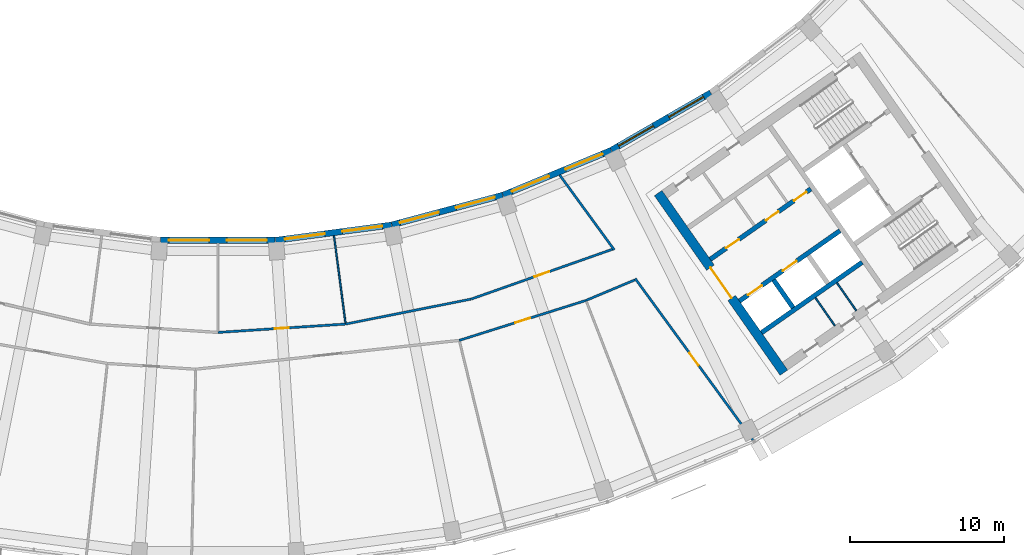
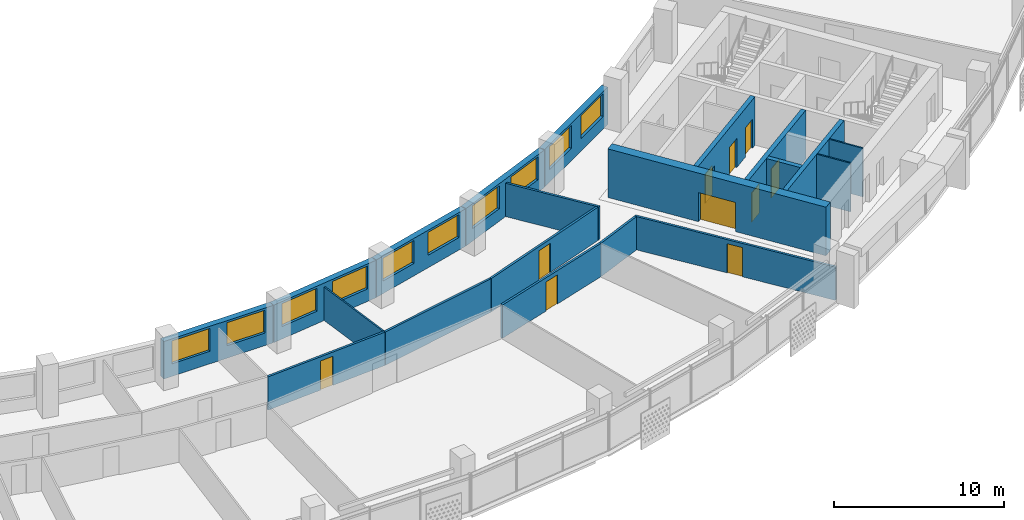
# One storey, part 6 of 27: 20 walls, 10 doors, 10 windows, 20 openings.
"""IFC4 building model written with IfcOpenShell, lengths in metres."""

from ifc_helpers import new_model, si_unit, direction, frame, frame_2d, origin, place, context, subcontext, project, spatial, rectangle, extrude, material, layer, layer_set, type_object, element, fill, save


model = new_model("IFC4")

# Units and contexts
model_context = context("Model", 3, precision=1e-05, world=origin(), true_north=direction((0.0, 1.0)))
body_context = subcontext(model_context, "Body", "Model", "MODEL_VIEW")
ifc_project = project(units=[si_unit("LENGTHUNIT", "METRE"), si_unit("AREAUNIT", "SQUARE_METRE"), si_unit("VOLUMEUNIT", "CUBIC_METRE"), si_unit("PLANEANGLEUNIT", "RADIAN"), si_unit("MASSUNIT", "GRAM", prefix="KILO")], contexts=[model_context])

# Site, building, storey
site_placement = place(None, origin())
site = spatial("IfcSite", under=ifc_project, at=site_placement, CompositionType="ELEMENT")
building_placement = place(site_placement, origin())
building = spatial("IfcBuilding", under=site, at=building_placement, Name="Qamariyya Broadcast Tower", CompositionType="ELEMENT")
storey_placement = place(building_placement, frame((0.0, 0.0, 237.89990234375)))
storey = spatial("IfcBuildingStorey", under=building, at=storey_placement, Name="L57", CompositionType="ELEMENT", Elevation=237.89990234375)

# Wall, opening, door
ifc_material_1 = material(Name="Concrete C60/75", Category="concrete")
ifc_layer_1 = layer(ifc_material_1, 0.60009765625)
ifc_layer_set_1 = layer_set([ifc_layer_1], Name="Core wall 600 mm Concrete C60/75")
wall_type_1 = type_object("IfcWallType", Name="Core wall 600 mm Concrete C60/75", PredefinedType="SHEAR", material=ifc_layer_set_1)
wall_1_placement = place(storey_placement, frame((36.66748046875, -66.005126953125, 0.0), z_axis=(0.0, 0.0, 1.0), x_axis=(-0.573568499524, 0.819157601658, 0.0)))
wall_1 = element("IfcWall", 1, at=wall_1_placement, inside=storey, type_object=wall_type_1, Name="k-E-L57-WA", PredefinedType="SHEAR", context=body_context, shape_type="SweptSolid", body=[
    extrude(rectangle(XDim=14.19970703125, YDim=0.60009765625, at=frame_2d((7.099853515625, 0.0))), origin(), (0.0, 0.0, 1.0), 3.5),
])
opening_1_placement = place(wall_1_placement, frame((5.89990234375, 0.0, 0.0)))
opening_1 = element("IfcOpeningElement", 2, at=opening_1_placement, cuts=wall_1, Name="Opening KD3-E1", PredefinedType="OPENING", context=body_context, shape_type="SweptSolid", body=[
    extrude(rectangle(XDim=2.39990234375, YDim=2.10009765625, at=frame_2d((1.199951171875, 1.050048828125))), frame((0.0, 0.31005859375, 0.0), z_axis=(0.0, -1.0, 0.0), x_axis=(1.0, 0.0, 0.0)), (0.0, 0.0, 1.0), 0.6201171875),
])
ifc_material_2 = material(Name="Steel fire-resisting door leaf", Category="steel")
door_type_1 = type_object("IfcDoorType", Name="Lift lobby door KD3", OperationType="DOUBLE_DOOR_SINGLE_SWING", PredefinedType="DOOR", material=ifc_material_2)
door_1_placement = place(opening_1_placement, origin())
door_1 = element("IfcDoor", 3, at=door_1_placement, inside=storey, type_object=door_type_1, Name="k-E-L57-WA-D1", OperationType="DOUBLE_DOOR_SINGLE_SWING", OverallHeight=2.10009765625, OverallWidth=2.39990234375, PredefinedType="DOOR", context=body_context, shape_type="SweptSolid", body=[
    extrude(rectangle(XDim=2.39990234375, YDim=2.10009765625, at=frame_2d((1.199951171875, 1.050048828125))), frame((0.0, 0.02490234375, 0.0), z_axis=(0.0, -1.0, 0.0), x_axis=(1.0, 0.0, 0.0)), (0.0, 0.0, 1.0), 0.050048828125),
])
fill(opening_1, door_1)

ifc_material_3 = material(Name="Gypsum board partition")
ifc_layer_2 = layer(ifc_material_3, 0.14990234375)
ifc_layer_set_2 = layer_set([ifc_layer_2], Name="Corridor partition 150 EI 60")
wall_type_2 = type_object("IfcWallType", Name="Corridor partition 150 EI 60", PredefinedType="PARTITIONING", material=ifc_layer_set_2)
wall_2_placement = place(storey_placement, frame((0.0, -63.39990234375, 0.0), z_axis=(0.0, 0.0, 1.0), x_axis=(0.997860193426, 0.065383747038, 0.0)))
wall_2 = element("IfcWall", 4, at=wall_2_placement, inside=storey, type_object=wall_type_2, Name="Partition L57-018", PredefinedType="PARTITIONING", context=body_context, shape_type="SweptSolid", body=[
    extrude(rectangle(XDim=8.293212890625, YDim=0.14990234375, at=frame_2d((4.146484375, 0.0))), origin(), (0.0, 0.0, 1.0), 2.400146484375),
])
opening_2_placement = place(wall_2_placement, frame((3.696533203125, 0.0, 0.0)))
opening_2 = element("IfcOpeningElement", 5, at=opening_2_placement, cuts=wall_2, Name="Opening L57-D11", PredefinedType="OPENING", context=body_context, shape_type="SweptSolid", body=[
    extrude(rectangle(XDim=0.89990234375, YDim=2.10009765625, at=frame_2d((0.449951171875, 1.050048828125))), frame((0.0, 0.0849609375, 0.0), z_axis=(0.0, -1.0, 0.0), x_axis=(1.0, 0.0, 0.0)), (0.0, 0.0, 1.0), 0.169921875),
])
ifc_material_4 = material(Name="Timber fire door leaf", Category="wood")
door_type_2 = type_object("IfcDoorType", Name="Fire door 900 x 2100 FD60", OperationType="NOTDEFINED", PredefinedType="DOOR", material=ifc_material_4)
door_2_placement = place(opening_2_placement, origin())
door_2 = element("IfcDoor", 6, at=door_2_placement, inside=storey, type_object=door_type_2, Name="Door L57-D11", OperationType="SINGLE_SWING_RIGHT", OverallHeight=2.10009765625, OverallWidth=0.89990234375, PredefinedType="DOOR", context=body_context, shape_type="SweptSolid", body=[
    extrude(rectangle(XDim=0.89990234375, YDim=2.10009765625, at=frame_2d((0.449951171875, 1.050048828125))), frame((0.0, 0.02490234375, 0.0), z_axis=(0.0, -1.0, 0.0), x_axis=(1.0, 0.0, 0.0)), (0.0, 0.0, 1.0), 0.050048828125),
])
fill(opening_2, door_2)

# Wall
wall_3_placement = place(storey_placement, frame((8.275390625, -62.857666015625, 0.0), z_axis=(0.0, 0.0, 1.0), x_axis=(0.980780777209, 0.195112959735, 0.0)))
element("IfcWall", 7, at=wall_3_placement, inside=storey, type_object=wall_type_2, Name="Partition L57-021", PredefinedType="PARTITIONING", context=body_context, shape_type="SweptSolid", body=[
    extrude(rectangle(XDim=8.28466796875, YDim=0.14990234375, at=frame_2d((4.142333984375, 0.0))), origin(), (0.0, 0.0, 1.0), 2.400146484375),
])

# Wall, opening, door
wall_4_placement = place(storey_placement, frame((23.8466796875, -61.32666015625, 0.0), z_axis=(0.0, 0.0, 1.0), x_axis=(-0.953719319389, -0.300698287031, 0.0)))
wall_4 = element("IfcWall", 8, at=wall_4_placement, inside=storey, type_object=wall_type_2, Name="Partition L57-022", PredefinedType="PARTITIONING", context=body_context, shape_type="SweptSolid", body=[
    extrude(rectangle(XDim=8.607177734375, YDim=0.14990234375, at=frame_2d((4.3037109375, 0.0))), origin(), (0.0, 0.0, 1.0), 2.400146484375),
])
opening_3_placement = place(wall_4_placement, frame((3.803466796875, 0.0, 0.0)))
opening_3 = element("IfcOpeningElement", 9, at=opening_3_placement, cuts=wall_4, Name="Opening L57-D06", PredefinedType="OPENING", context=body_context, shape_type="SweptSolid", body=[
    extrude(rectangle(XDim=1.0, YDim=2.10009765625, at=frame_2d((0.5, 1.050048828125))), frame((0.0, 0.0849609375, 0.0), z_axis=(0.0, -1.0, 0.0), x_axis=(1.0, 0.0, 0.0)), (0.0, 0.0, 1.0), 0.169921875),
])
door_type_3 = type_object("IfcDoorType", Name="Fire door 1000 x 2100 FD60", OperationType="NOTDEFINED", PredefinedType="DOOR", material=ifc_material_4)
door_3_placement = place(opening_3_placement, origin())
door_3 = element("IfcDoor", 10, at=door_3_placement, inside=storey, type_object=door_type_3, Name="Door L57-D06", OperationType="SINGLE_SWING_RIGHT", OverallHeight=2.10009765625, OverallWidth=1.0, PredefinedType="DOOR", context=body_context, shape_type="SweptSolid", body=[
    extrude(rectangle(XDim=1.0, YDim=2.10009765625, at=frame_2d((0.5, 1.050048828125))), frame((0.0, 0.02490234375, 0.0), z_axis=(0.0, -1.0, 0.0), x_axis=(1.0, 0.0, 0.0)), (0.0, 0.0, 1.0), 0.050048828125),
])
fill(opening_3, door_3)

wall_5_placement = place(storey_placement, frame((16.4169921875, -61.23681640625, 0.0), z_axis=(0.0, 0.0, 1.0), x_axis=(0.943093487705, 0.33252770328, 0.0)))
wall_5 = element("IfcWall", 11, at=wall_5_placement, inside=storey, type_object=wall_type_2, Name="Partition L57-023", PredefinedType="PARTITIONING", context=body_context, shape_type="SweptSolid", body=[
    extrude(rectangle(XDim=9.69580078125, YDim=0.14990234375, at=frame_2d((4.847900390625, 0.0))), origin(), (0.0, 0.0, 1.0), 2.400146484375),
])
opening_4_placement = place(wall_5_placement, frame((4.347900390625, 0.0, 0.0)))
opening_4 = element("IfcOpeningElement", 12, at=opening_4_placement, cuts=wall_5, Name="Opening L57-D12", PredefinedType="OPENING", context=body_context, shape_type="SweptSolid", body=[
    extrude(rectangle(XDim=1.0, YDim=2.10009765625, at=frame_2d((0.5, 1.050048828125))), frame((0.0, 0.0849609375, 0.0), z_axis=(0.0, -1.0, 0.0), x_axis=(1.0, 0.0, 0.0)), (0.0, 0.0, 1.0), 0.169921875),
])
door_4_placement = place(opening_4_placement, origin())
door_4 = element("IfcDoor", 13, at=door_4_placement, inside=storey, type_object=door_type_3, Name="Door L57-D12", OperationType="SINGLE_SWING_RIGHT", OverallHeight=2.10009765625, OverallWidth=1.0, PredefinedType="DOOR", context=body_context, shape_type="SweptSolid", body=[
    extrude(rectangle(XDim=1.0, YDim=2.10009765625, at=frame_2d((0.5, 1.050048828125))), frame((0.0, 0.02490234375, 0.0), z_axis=(0.0, -1.0, 0.0), x_axis=(1.0, 0.0, 0.0)), (0.0, 0.0, 1.0), 0.050048828125),
])
fill(opening_4, door_4)

# Walls
wall_6_placement = place(storey_placement, frame((22.135498046875, -53.1943359375, 0.0), z_axis=(0.0, 0.0, 1.0), x_axis=(0.589297062476, -0.807916438846, 0.0)))
element("IfcWall", 14, at=wall_6_placement, inside=storey, type_object=wall_type_2, Name="Partition L57-025", PredefinedType="PARTITIONING", context=body_context, shape_type="SweptSolid", body=[
    extrude(rectangle(XDim=6.008056640625, YDim=0.14990234375, at=frame_2d((3.00390625, 0.0))), origin(), (0.0, 0.0, 1.0), 2.400146484375),
])
wall_7_placement = place(storey_placement, frame((23.8466796875, -61.32666015625, 0.0), z_axis=(0.0, 0.0, 1.0), x_axis=(0.922043605685, 0.387086023018, 0.0)))
element("IfcWall", 15, at=wall_7_placement, inside=storey, type_object=wall_type_2, Name="Partition L57-026", PredefinedType="PARTITIONING", context=body_context, shape_type="SweptSolid", body=[
    extrude(rectangle(XDim=3.42919921875, YDim=0.14990234375, at=frame_2d((1.714599609375, 0.0))), origin(), (0.0, 0.0, 1.0), 2.400146484375),
])

# Wall, opening, door
wall_8_placement = place(storey_placement, frame((34.668212890625, -70.37744140625, 0.0), z_axis=(0.0, 0.0, 1.0), x_axis=(-0.589273648147, 0.807933516819, 0.0)))
wall_8 = element("IfcWall", 16, at=wall_8_placement, inside=storey, type_object=wall_type_2, Name="Partition L57-027", PredefinedType="PARTITIONING", context=body_context, shape_type="SweptSolid", body=[
    extrude(rectangle(XDim=12.956298828125, YDim=0.14990234375, at=frame_2d((6.47802734375, 0.0))), origin(), (0.0, 0.0, 1.0), 2.400146484375),
])
opening_5_placement = place(wall_8_placement, frame((5.97802734375, 0.0, 0.0)))
opening_5 = element("IfcOpeningElement", 17, at=opening_5_placement, cuts=wall_8, Name="Opening L57-D07", PredefinedType="OPENING", context=body_context, shape_type="SweptSolid", body=[
    extrude(rectangle(XDim=1.0, YDim=2.10009765625, at=frame_2d((0.5, 1.050048828125))), frame((0.0, 0.0849609375, 0.0), z_axis=(0.0, -1.0, 0.0), x_axis=(1.0, 0.0, 0.0)), (0.0, 0.0, 1.0), 0.169921875),
])
door_5_placement = place(opening_5_placement, origin())
door_5 = element("IfcDoor", 18, at=door_5_placement, inside=storey, type_object=door_type_3, Name="Door L57-D07", OperationType="SINGLE_SWING_RIGHT", OverallHeight=2.10009765625, OverallWidth=1.0, PredefinedType="DOOR", context=body_context, shape_type="SweptSolid", body=[
    extrude(rectangle(XDim=1.0, YDim=2.10009765625, at=frame_2d((0.5, 1.050048828125))), frame((0.0, 0.02490234375, 0.0), z_axis=(0.0, -1.0, 0.0), x_axis=(1.0, 0.0, 0.0)), (0.0, 0.0, 1.0), 0.050048828125),
])
fill(opening_5, door_5)

# Wall, openings, doors
ifc_layer_3 = layer(ifc_material_1, 0.300048828125)
ifc_layer_set_3 = layer_set([ifc_layer_3], Name="Lift shaft wall 300 mm Concrete C60/75")
wall_type_3 = type_object("IfcWallType", Name="Lift shaft wall 300 mm Concrete C60/75", PredefinedType="SOLIDWALL", material=ifc_layer_set_3)
wall_9_placement = place(storey_placement, frame((31.89453125, -58.66552734375, 0.0), z_axis=(0.0, 0.0, 1.0), x_axis=(0.819166993208, 0.573555086491, 0.0)))
wall_9 = element("IfcWall", 19, at=wall_9_placement, inside=storey, type_object=wall_type_3, Name="k-E-L57-NF0", PredefinedType="SOLIDWALL", context=body_context, shape_type="SweptSolid", body=[
    extrude(rectangle(XDim=7.9501953125, YDim=0.300048828125, at=frame_2d((3.97509765625, 0.0))), origin(), (0.0, 0.0, 1.0), 3.5),
])
opening_6_placement = place(wall_9_placement, frame((1.262451171875, 0.0, 0.0)))
opening_6 = element("IfcOpeningElement", 20, at=opening_6_placement, cuts=wall_9, Name="Opening KD4-E1", PredefinedType="OPENING", context=body_context, shape_type="SweptSolid", body=[
    extrude(rectangle(XDim=1.0, YDim=2.10009765625, at=frame_2d((0.5, 1.050048828125))), frame((0.0, 0.159912109375, 0.0), z_axis=(0.0, -1.0, 0.0), x_axis=(1.0, 0.0, 0.0)), (0.0, 0.0, 1.0), 0.320068359375),
])
opening_7_placement = place(wall_9_placement, frame((4.39990234375, 0.0, 0.0)))
opening_7 = element("IfcOpeningElement", 21, at=opening_7_placement, cuts=wall_9, Name="Opening KD6-E1", PredefinedType="OPENING", context=body_context, shape_type="SweptSolid", body=[
    extrude(rectangle(XDim=1.0, YDim=2.10009765625, at=frame_2d((0.5, 1.050048828125))), frame((0.0, 0.159912109375, 0.0), z_axis=(0.0, -1.0, 0.0), x_axis=(1.0, 0.0, 0.0)), (0.0, 0.0, 1.0), 0.320068359375),
])
opening_8_placement = place(wall_9_placement, frame((6.612548828125, 0.0, 0.0)))
opening_8 = element("IfcOpeningElement", 22, at=opening_8_placement, cuts=wall_9, Name="Opening KD6-E2", PredefinedType="OPENING", context=body_context, shape_type="SweptSolid", body=[
    extrude(rectangle(XDim=1.0, YDim=2.10009765625, at=frame_2d((0.5, 1.050048828125))), frame((0.0, 0.159912109375, 0.0), z_axis=(0.0, -1.0, 0.0), x_axis=(1.0, 0.0, 0.0)), (0.0, 0.0, 1.0), 0.320068359375),
])
door_type_4 = type_object("IfcDoorType", Name="Core room door KD6", OperationType="SINGLE_SWING_LEFT", PredefinedType="DOOR", material=ifc_material_2)
door_6_placement = place(opening_7_placement, origin())
door_6 = element("IfcDoor", 23, at=door_6_placement, inside=storey, type_object=door_type_4, Name="k-E-L57-NF0-D3", OperationType="SINGLE_SWING_LEFT", OverallHeight=2.10009765625, OverallWidth=1.0, PredefinedType="DOOR", context=body_context, shape_type="SweptSolid", body=[
    extrude(rectangle(XDim=1.0, YDim=2.10009765625, at=frame_2d((0.5, 1.050048828125))), frame((0.0, 0.02490234375, 0.0), z_axis=(0.0, -1.0, 0.0), x_axis=(1.0, 0.0, 0.0)), (0.0, 0.0, 1.0), 0.050048828125),
])
fill(opening_7, door_6)
door_7_placement = place(opening_8_placement, origin())
door_7 = element("IfcDoor", 24, at=door_7_placement, inside=storey, type_object=door_type_4, Name="k-E-L57-NF0-D4", OperationType="SINGLE_SWING_RIGHT", OverallHeight=2.10009765625, OverallWidth=1.0, PredefinedType="DOOR", context=body_context, shape_type="SweptSolid", body=[
    extrude(rectangle(XDim=1.0, YDim=2.10009765625, at=frame_2d((0.5, 1.050048828125))), frame((0.0, 0.02490234375, 0.0), z_axis=(0.0, -1.0, 0.0), x_axis=(1.0, 0.0, 0.0)), (0.0, 0.0, 1.0), 0.050048828125),
])
fill(opening_8, door_7)
door_type_5 = type_object("IfcDoorType", Name="Riser and plant door KD4", OperationType="SINGLE_SWING_LEFT", PredefinedType="DOOR", material=ifc_material_2)
door_8_placement = place(opening_6_placement, origin())
door_8 = element("IfcDoor", 25, at=door_8_placement, inside=storey, type_object=door_type_5, Name="k-E-L57-NF0-D2", OperationType="SINGLE_SWING_RIGHT", OverallHeight=2.10009765625, OverallWidth=1.0, PredefinedType="DOOR", context=body_context, shape_type="SweptSolid", body=[
    extrude(rectangle(XDim=1.0, YDim=2.10009765625, at=frame_2d((0.5, 1.050048828125))), frame((0.0, 0.02490234375, 0.0), z_axis=(0.0, -1.0, 0.0), x_axis=(1.0, 0.0, 0.0)), (0.0, 0.0, 1.0), 0.050048828125),
])
fill(opening_6, door_8)

wall_10_placement = place(storey_placement, frame((33.787353515625, -61.368896484375, 0.0), z_axis=(0.0, 0.0, 1.0), x_axis=(0.819152564888, 0.573575692858, 0.0)))
wall_10 = element("IfcWall", 26, at=wall_10_placement, inside=storey, type_object=wall_type_3, Name="k-E-L57-SF0", PredefinedType="SOLIDWALL", context=body_context, shape_type="SweptSolid", body=[
    extrude(rectangle(XDim=7.9501953125, YDim=0.300048828125, at=frame_2d((3.97509765625, 0.0))), origin(), (0.0, 0.0, 1.0), 3.5),
])
opening_9_placement = place(wall_10_placement, frame((0.675048828125, 0.0, 0.0)))
opening_9 = element("IfcOpeningElement", 27, at=opening_9_placement, cuts=wall_10, Name="Opening LD", PredefinedType="OPENING", context=body_context, shape_type="SweptSolid", body=[
    extrude(rectangle(XDim=1.10009765625, YDim=2.10009765625, at=frame_2d((0.550048828125, 1.050048828125))), frame((0.0, 0.159912109375, 0.0), z_axis=(0.0, -1.0, 0.0), x_axis=(1.0, 0.0, 0.0)), (0.0, 0.0, 1.0), 0.320068359375),
])
opening_10_placement = place(wall_10_placement, frame((3.425048828125, 0.0, 0.0)))
opening_10 = element("IfcOpeningElement", 28, at=opening_10_placement, cuts=wall_10, Name="Opening LD", PredefinedType="OPENING", context=body_context, shape_type="SweptSolid", body=[
    extrude(rectangle(XDim=1.10009765625, YDim=2.10009765625, at=frame_2d((0.550048828125, 1.050048828125))), frame((0.0, 0.159912109375, 0.0), z_axis=(0.0, -1.0, 0.0), x_axis=(1.0, 0.0, 0.0)), (0.0, 0.0, 1.0), 0.320068359375),
])
door_type_6 = type_object("IfcDoorType", Name="Lift landing door LD", OperationType="DOUBLE_DOOR_SLIDING", PredefinedType="DOOR", material=ifc_material_2)
door_9_placement = place(opening_9_placement, origin())
door_9 = element("IfcDoor", 29, at=door_9_placement, inside=storey, type_object=door_type_6, Name="k-E-L57-SF0-D5", OperationType="DOUBLE_DOOR_SLIDING", OverallHeight=2.10009765625, OverallWidth=1.10009765625, PredefinedType="DOOR", context=body_context, shape_type="SweptSolid", body=[
    extrude(rectangle(XDim=1.10009765625, YDim=2.10009765625, at=frame_2d((0.550048828125, 1.050048828125))), frame((0.0, 0.02490234375, 0.0), z_axis=(0.0, -1.0, 0.0), x_axis=(1.0, 0.0, 0.0)), (0.0, 0.0, 1.0), 0.050048828125),
])
fill(opening_9, door_9)
door_10_placement = place(opening_10_placement, origin())
door_10 = element("IfcDoor", 30, at=door_10_placement, inside=storey, type_object=door_type_6, Name="k-E-L57-SF0-D6", OperationType="DOUBLE_DOOR_SLIDING", OverallHeight=2.10009765625, OverallWidth=1.10009765625, PredefinedType="DOOR", context=body_context, shape_type="SweptSolid", body=[
    extrude(rectangle(XDim=1.10009765625, YDim=2.10009765625, at=frame_2d((0.550048828125, 1.050048828125))), frame((0.0, 0.02490234375, 0.0), z_axis=(0.0, -1.0, 0.0), x_axis=(1.0, 0.0, 0.0)), (0.0, 0.0, 1.0), 0.050048828125),
])
fill(opening_10, door_10)

# Walls
wall_11_placement = place(storey_placement, frame((35.22119140625, -63.41650390625, 0.0), z_axis=(0.0, 0.0, 1.0), x_axis=(0.819166993208, 0.573555086491, 0.0)))
element("IfcWall", 31, at=wall_11_placement, inside=storey, type_object=wall_type_3, Name="k-E-L57-SB0", PredefinedType="SOLIDWALL", context=body_context, shape_type="SweptSolid", body=[
    extrude(rectangle(XDim=7.9501953125, YDim=0.300048828125, at=frame_2d((3.97509765625, 0.0))), origin(), (0.0, 0.0, 1.0), 3.5),
])
wall_12_placement = place(storey_placement, frame((36.003173828125, -60.000244140625, 0.0), z_axis=(0.0, 0.0, 1.0), x_axis=(0.573581496053, -0.819148501424, 0.0)))
element("IfcWall", 32, at=wall_12_placement, inside=storey, type_object=wall_type_3, Name="k-E-L57-SD0", PredefinedType="SOLIDWALL", context=body_context, shape_type="SweptSolid", body=[
    extrude(rectangle(XDim=2.2001953125, YDim=0.300048828125, at=frame_2d((1.10009765625, 0.0))), origin(), (0.0, 0.0, 1.0), 3.5),
])
ifc_layer_4 = layer(ifc_material_3, 0.10009765625)
ifc_layer_set_4 = layer_set([ifc_layer_4], Name="Partition 100")
wall_type_4 = type_object("IfcWallType", Name="Partition 100", PredefinedType="PARTITIONING", material=ifc_layer_set_4)
wall_13_placement = place(storey_placement, frame((7.52197265625, -57.13427734375, 0.0), z_axis=(0.0, 0.0, 1.0), x_axis=(0.130518800749, -0.991445834451, 0.0)))
element("IfcWall", 33, at=wall_13_placement, inside=storey, type_object=wall_type_4, Name="Partition L57-020", PredefinedType="PARTITIONING", context=body_context, shape_type="SweptSolid", body=[
    extrude(rectangle(XDim=5.69775390625, YDim=0.10009765625, at=frame_2d((2.848876953125, 0.0))), origin(), (0.0, 0.0, 1.0), 2.400146484375),
])
ifc_material_5 = material(Name="Fire-rated gypsum shaft liner on steel studs", Category="steel")
ifc_layer_5 = layer(ifc_material_5, 0.10009765625)
ifc_layer_set_5 = layer_set([ifc_layer_5], Name="Riser wall 100 mm")
wall_type_5 = type_object("IfcWallType", Name="Riser wall 100 mm", PredefinedType="PLUMBINGWALL", material=ifc_layer_set_5)
for number, where, z_axis, x_axis, name in (
    (34, (38.706787109375, -61.1591796875, 0.0), (0.0, 0.0, 1.0), (0.573633636671, -0.819111989218, 0.0), "k-E-L57-SP415"),
    (35, (40.099365234375, -60.18408203125, 0.0), (0.0, 0.0, 1.0), (0.573633636671, -0.819111989218, 0.0), "k-E-L57-SP585"),
):
    element("IfcWall", number, at=place(storey_placement, frame(where, z_axis=z_axis, x_axis=x_axis)), inside=storey, type_object=wall_type_5, Name=name, PredefinedType="PLUMBINGWALL", context=body_context, shape_type="SweptSolid", body=[
        extrude(rectangle(XDim=2.199951171875, YDim=0.10009765625, at=frame_2d((1.10009765625, 0.0))), origin(), (0.0, 0.0, 1.0), 3.5),
    ])

# Wall, openings, windows
ifc_material_6 = material(Name="Terracotta", Category="masonry")
ifc_layer_6 = layer(ifc_material_6, 0.39990234375)
ifc_layer_set_6 = layer_set([ifc_layer_6], Name="Terracotta clad wall 400")
wall_type_6 = type_object("IfcWallType", Name="Terracotta clad wall 400", PredefinedType="SOLIDWALL", material=ifc_layer_set_6)
wall_14_placement = place(storey_placement, frame((18.449951171875, -54.50927734375, 0.0), z_axis=(0.0, 0.0, 1.0), x_axis=(-0.965924866111, -0.25882262851, 0.0)))
wall_14 = element("IfcWall", 36, at=wall_14_placement, inside=storey, type_object=wall_type_6, Name="e-wl-L57-in100", PredefinedType="SOLIDWALL", context=body_context, shape_type="SweptSolid", body=[
    extrude(rectangle(XDim=7.426513671875, YDim=0.39990234375, at=frame_2d((3.71337890625, 0.0))), origin(), (0.0, 0.0, 1.0), 2.7001953125),
])
opening_11_placement = place(wall_14_placement, frame((4.28857421875, 0.0, 0.89990234375)))
opening_11 = element("IfcOpeningElement", 37, at=opening_11_placement, cuts=wall_14, Name="Opening W1", PredefinedType="OPENING", context=body_context, shape_type="SweptSolid", body=[
    extrude(rectangle(XDim=2.60009765625, YDim=1.64990234375, at=frame_2d((1.300048828125, 0.824951171875))), frame((0.0, 0.2099609375, 0.0), z_axis=(0.0, -1.0, 0.0), x_axis=(1.0, 0.0, 0.0)), (0.0, 0.0, 1.0), 0.419921875),
])
opening_12_placement = place(wall_14_placement, frame((0.537841796875, 0.0, 0.89990234375)))
opening_12 = element("IfcOpeningElement", 38, at=opening_12_placement, cuts=wall_14, Name="Opening W1", PredefinedType="OPENING", context=body_context, shape_type="SweptSolid", body=[
    extrude(rectangle(XDim=2.60009765625, YDim=1.64990234375, at=frame_2d((1.300048828125, 0.824951171875))), frame((0.0, 0.2099609375, 0.0), z_axis=(0.0, -1.0, 0.0), x_axis=(1.0, 0.0, 0.0)), (0.0, 0.0, 1.0), 0.419921875),
])
ifc_material_7 = material(Name="Clear low-e double glazed unit in aluminium frame", Category="aluminium")
window_type = type_object("IfcWindowType", Name="Ribbon window 2600 x 1650", PartitioningType="SINGLE_PANEL", PredefinedType="WINDOW", material=ifc_material_7)
window_1_placement = place(opening_11_placement, origin())
window_1 = element("IfcWindow", 39, at=window_1_placement, inside=storey, type_object=window_type, Name="e-w-L57-in10-0", OverallHeight=1.64990234375, OverallWidth=2.60009765625, PartitioningType="SINGLE_PANEL", PredefinedType="WINDOW", context=body_context, shape_type="SweptSolid", body=[
    extrude(rectangle(XDim=2.60009765625, YDim=1.64990234375, at=frame_2d((1.300048828125, 0.824951171875))), frame((0.0, 0.030029296875, 0.0), z_axis=(0.0, -1.0, 0.0), x_axis=(1.0, 0.0, 0.0)), (0.0, 0.0, 1.0), 0.06005859375),
])
fill(opening_11, window_1)
window_2_placement = place(opening_12_placement, origin())
window_2 = element("IfcWindow", 40, at=window_2_placement, inside=storey, type_object=window_type, Name="e-w-L57-in10-1", OverallHeight=1.64990234375, OverallWidth=2.60009765625, PartitioningType="SINGLE_PANEL", PredefinedType="WINDOW", context=body_context, shape_type="SweptSolid", body=[
    extrude(rectangle(XDim=2.60009765625, YDim=1.64990234375, at=frame_2d((1.300048828125, 0.824951171875))), frame((0.0, 0.030029296875, 0.0), z_axis=(0.0, -1.0, 0.0), x_axis=(1.0, 0.0, 0.0)), (0.0, 0.0, 1.0), 0.06005859375),
])
fill(opening_12, window_2)

wall_15_placement = place(storey_placement, frame((25.47705078125, -51.60595703125, 0.0), z_axis=(0.0, 0.0, 1.0), x_axis=(-0.923884115122, -0.382672368777, 0.0)))
wall_15 = element("IfcWall", 41, at=wall_15_placement, inside=storey, type_object=wall_type_6, Name="e-wl-L57-in110", PredefinedType="SOLIDWALL", context=body_context, shape_type="SweptSolid", body=[
    extrude(rectangle(XDim=7.578125, YDim=0.39990234375, at=frame_2d((3.7890625, 0.0))), origin(), (0.0, 0.0, 1.0), 2.7001953125),
])
opening_13_placement = place(wall_15_placement, frame((4.364501953125, 0.0, 0.89990234375)))
opening_13 = element("IfcOpeningElement", 42, at=opening_13_placement, cuts=wall_15, Name="Opening W1", PredefinedType="OPENING", context=body_context, shape_type="SweptSolid", body=[
    extrude(rectangle(XDim=2.60009765625, YDim=1.64990234375, at=frame_2d((1.300048828125, 0.824951171875))), frame((0.0, 0.2099609375, 0.0), z_axis=(0.0, -1.0, 0.0), x_axis=(1.0, 0.0, 0.0)), (0.0, 0.0, 1.0), 0.419921875),
])
opening_14_placement = place(wall_15_placement, frame((0.613525390625, 0.0, 0.89990234375)))
opening_14 = element("IfcOpeningElement", 43, at=opening_14_placement, cuts=wall_15, Name="Opening W1", PredefinedType="OPENING", context=body_context, shape_type="SweptSolid", body=[
    extrude(rectangle(XDim=2.60009765625, YDim=1.64990234375, at=frame_2d((1.300048828125, 0.824951171875))), frame((0.0, 0.2099609375, 0.0), z_axis=(0.0, -1.0, 0.0), x_axis=(1.0, 0.0, 0.0)), (0.0, 0.0, 1.0), 0.419921875),
])
window_3_placement = place(opening_13_placement, origin())
window_3 = element("IfcWindow", 44, at=window_3_placement, inside=storey, type_object=window_type, Name="e-w-L57-in11-0", OverallHeight=1.64990234375, OverallWidth=2.60009765625, PartitioningType="SINGLE_PANEL", PredefinedType="WINDOW", context=body_context, shape_type="SweptSolid", body=[
    extrude(rectangle(XDim=2.60009765625, YDim=1.64990234375, at=frame_2d((1.300048828125, 0.824951171875))), frame((0.0, 0.030029296875, 0.0), z_axis=(0.0, -1.0, 0.0), x_axis=(1.0, 0.0, 0.0)), (0.0, 0.0, 1.0), 0.06005859375),
])
fill(opening_13, window_3)
window_4_placement = place(opening_14_placement, origin())
window_4 = element("IfcWindow", 45, at=window_4_placement, inside=storey, type_object=window_type, Name="e-w-L57-in11-1", OverallHeight=1.64990234375, OverallWidth=2.60009765625, PartitioningType="SINGLE_PANEL", PredefinedType="WINDOW", context=body_context, shape_type="SweptSolid", body=[
    extrude(rectangle(XDim=2.60009765625, YDim=1.64990234375, at=frame_2d((1.300048828125, 0.824951171875))), frame((0.0, 0.030029296875, 0.0), z_axis=(0.0, -1.0, 0.0), x_axis=(1.0, 0.0, 0.0)), (0.0, 0.0, 1.0), 0.06005859375),
])
fill(opening_14, window_4)

wall_16_placement = place(storey_placement, frame((31.929443359375, -47.876708984375, 0.0), z_axis=(0.0, 0.0, 1.0), x_axis=(-0.866021353871, -0.500007014591, 0.0)))
wall_16 = element("IfcWall", 46, at=wall_16_placement, inside=storey, type_object=wall_type_6, Name="e-wl-L57-in120", PredefinedType="SOLIDWALL", context=body_context, shape_type="SweptSolid", body=[
    extrude(rectangle(XDim=7.4267578125, YDim=0.39990234375, at=frame_2d((3.71337890625, 0.0))), origin(), (0.0, 0.0, 1.0), 2.7001953125),
])
opening_15_placement = place(wall_16_placement, frame((4.28857421875, 0.0, 0.89990234375)))
opening_15 = element("IfcOpeningElement", 47, at=opening_15_placement, cuts=wall_16, Name="Opening W1", PredefinedType="OPENING", context=body_context, shape_type="SweptSolid", body=[
    extrude(rectangle(XDim=2.60009765625, YDim=1.64990234375, at=frame_2d((1.300048828125, 0.824951171875))), frame((0.0, 0.2099609375, 0.0), z_axis=(0.0, -1.0, 0.0), x_axis=(1.0, 0.0, 0.0)), (0.0, 0.0, 1.0), 0.419921875),
])
opening_16_placement = place(wall_16_placement, frame((0.537841796875, 0.0, 0.89990234375)))
opening_16 = element("IfcOpeningElement", 48, at=opening_16_placement, cuts=wall_16, Name="Opening W1", PredefinedType="OPENING", context=body_context, shape_type="SweptSolid", body=[
    extrude(rectangle(XDim=2.60009765625, YDim=1.64990234375, at=frame_2d((1.300048828125, 0.824951171875))), frame((0.0, 0.2099609375, 0.0), z_axis=(0.0, -1.0, 0.0), x_axis=(1.0, 0.0, 0.0)), (0.0, 0.0, 1.0), 0.419921875),
])
window_5_placement = place(opening_15_placement, origin())
window_5 = element("IfcWindow", 49, at=window_5_placement, inside=storey, type_object=window_type, Name="e-w-L57-in12-0", OverallHeight=1.64990234375, OverallWidth=2.60009765625, PartitioningType="SINGLE_PANEL", PredefinedType="WINDOW", context=body_context, shape_type="SweptSolid", body=[
    extrude(rectangle(XDim=2.60009765625, YDim=1.64990234375, at=frame_2d((1.300048828125, 0.824951171875))), frame((0.0, 0.030029296875, 0.0), z_axis=(0.0, -1.0, 0.0), x_axis=(1.0, 0.0, 0.0)), (0.0, 0.0, 1.0), 0.06005859375),
])
fill(opening_15, window_5)
window_6_placement = place(opening_16_placement, origin())
window_6 = element("IfcWindow", 50, at=window_6_placement, inside=storey, type_object=window_type, Name="e-w-L57-in12-1", OverallHeight=1.64990234375, OverallWidth=2.60009765625, PartitioningType="SINGLE_PANEL", PredefinedType="WINDOW", context=body_context, shape_type="SweptSolid", body=[
    extrude(rectangle(XDim=2.60009765625, YDim=1.64990234375, at=frame_2d((1.300048828125, 0.824951171875))), frame((0.0, 0.030029296875, 0.0), z_axis=(0.0, -1.0, 0.0), x_axis=(1.0, 0.0, 0.0)), (0.0, 0.0, 1.0), 0.06005859375),
])
fill(opening_16, window_6)

wall_17_placement = place(storey_placement, frame((3.713134765625, -57.42724609375, 0.0), z_axis=(0.0, 0.0, 1.0), x_axis=(-1.0, 0.0, 0.0)))
wall_17 = element("IfcWall", 51, at=wall_17_placement, inside=storey, type_object=wall_type_6, Name="e-wl-L57-in80", PredefinedType="SOLIDWALL", context=body_context, shape_type="SweptSolid", body=[
    extrude(rectangle(XDim=7.42626953125, YDim=0.39990234375, at=frame_2d((3.713134765625, 0.0))), origin(), (0.0, 0.0, 1.0), 2.7001953125),
])
opening_17_placement = place(wall_17_placement, frame((4.28857421875, 0.0, 0.89990234375)))
opening_17 = element("IfcOpeningElement", 52, at=opening_17_placement, cuts=wall_17, Name="Opening W1", PredefinedType="OPENING", context=body_context, shape_type="SweptSolid", body=[
    extrude(rectangle(XDim=2.60009765625, YDim=1.64990234375, at=frame_2d((1.300048828125, 0.824951171875))), frame((0.0, 0.2099609375, 0.0), z_axis=(0.0, -1.0, 0.0), x_axis=(1.0, 0.0, 0.0)), (0.0, 0.0, 1.0), 0.419921875),
])
opening_18_placement = place(wall_17_placement, frame((0.537841796875, 0.0, 0.89990234375)))
opening_18 = element("IfcOpeningElement", 53, at=opening_18_placement, cuts=wall_17, Name="Opening W1", PredefinedType="OPENING", context=body_context, shape_type="SweptSolid", body=[
    extrude(rectangle(XDim=2.60009765625, YDim=1.64990234375, at=frame_2d((1.300048828125, 0.824951171875))), frame((0.0, 0.2099609375, 0.0), z_axis=(0.0, -1.0, 0.0), x_axis=(1.0, 0.0, 0.0)), (0.0, 0.0, 1.0), 0.419921875),
])
window_7_placement = place(opening_17_placement, origin())
window_7 = element("IfcWindow", 54, at=window_7_placement, inside=storey, type_object=window_type, Name="e-w-L57-in08-0", OverallHeight=1.64990234375, OverallWidth=2.60009765625, PartitioningType="SINGLE_PANEL", PredefinedType="WINDOW", context=body_context, shape_type="SweptSolid", body=[
    extrude(rectangle(XDim=2.60009765625, YDim=1.64990234375, at=frame_2d((1.300048828125, 0.824951171875))), frame((0.0, 0.030029296875, 0.0), z_axis=(0.0, -1.0, 0.0), x_axis=(1.0, 0.0, 0.0)), (0.0, 0.0, 1.0), 0.06005859375),
])
fill(opening_17, window_7)
window_8_placement = place(opening_18_placement, origin())
window_8 = element("IfcWindow", 55, at=window_8_placement, inside=storey, type_object=window_type, Name="e-w-L57-in08-1", OverallHeight=1.64990234375, OverallWidth=2.60009765625, PartitioningType="SINGLE_PANEL", PredefinedType="WINDOW", context=body_context, shape_type="SweptSolid", body=[
    extrude(rectangle(XDim=2.60009765625, YDim=1.64990234375, at=frame_2d((1.300048828125, 0.824951171875))), frame((0.0, 0.030029296875, 0.0), z_axis=(0.0, -1.0, 0.0), x_axis=(1.0, 0.0, 0.0)), (0.0, 0.0, 1.0), 0.06005859375),
])
fill(opening_18, window_8)

wall_18_placement = place(storey_placement, frame((11.252197265625, -56.44140625, 0.0), z_axis=(0.0, 0.0, 1.0), x_axis=(-0.991446288508, -0.130515351599, 0.0)))
wall_18 = element("IfcWall", 56, at=wall_18_placement, inside=storey, type_object=wall_type_6, Name="e-wl-L57-in90", PredefinedType="SOLIDWALL", context=body_context, shape_type="SweptSolid", body=[
    extrude(rectangle(XDim=7.57763671875, YDim=0.39990234375, at=frame_2d((3.788818359375, 0.0))), origin(), (0.0, 0.0, 1.0), 2.7001953125),
])
opening_19_placement = place(wall_18_placement, frame((4.364501953125, 0.0, 0.89990234375)))
opening_19 = element("IfcOpeningElement", 57, at=opening_19_placement, cuts=wall_18, Name="Opening W1", PredefinedType="OPENING", context=body_context, shape_type="SweptSolid", body=[
    extrude(rectangle(XDim=2.60009765625, YDim=1.64990234375, at=frame_2d((1.300048828125, 0.824951171875))), frame((0.0, 0.2099609375, 0.0), z_axis=(0.0, -1.0, 0.0), x_axis=(1.0, 0.0, 0.0)), (0.0, 0.0, 1.0), 0.419921875),
])
opening_20_placement = place(wall_18_placement, frame((0.613525390625, 0.0, 0.89990234375)))
opening_20 = element("IfcOpeningElement", 58, at=opening_20_placement, cuts=wall_18, Name="Opening W1", PredefinedType="OPENING", context=body_context, shape_type="SweptSolid", body=[
    extrude(rectangle(XDim=2.60009765625, YDim=1.64990234375, at=frame_2d((1.300048828125, 0.824951171875))), frame((0.0, 0.2099609375, 0.0), z_axis=(0.0, -1.0, 0.0), x_axis=(1.0, 0.0, 0.0)), (0.0, 0.0, 1.0), 0.419921875),
])
window_9_placement = place(opening_19_placement, origin())
window_9 = element("IfcWindow", 59, at=window_9_placement, inside=storey, type_object=window_type, Name="e-w-L57-in09-0", OverallHeight=1.64990234375, OverallWidth=2.60009765625, PartitioningType="SINGLE_PANEL", PredefinedType="WINDOW", context=body_context, shape_type="SweptSolid", body=[
    extrude(rectangle(XDim=2.60009765625, YDim=1.64990234375, at=frame_2d((1.300048828125, 0.824951171875))), frame((0.0, 0.030029296875, 0.0), z_axis=(0.0, -1.0, 0.0), x_axis=(1.0, 0.0, 0.0)), (0.0, 0.0, 1.0), 0.06005859375),
])
fill(opening_19, window_9)
window_10_placement = place(opening_20_placement, origin())
window_10 = element("IfcWindow", 60, at=window_10_placement, inside=storey, type_object=window_type, Name="e-w-L57-in09-1", OverallHeight=1.64990234375, OverallWidth=2.60009765625, PartitioningType="SINGLE_PANEL", PredefinedType="WINDOW", context=body_context, shape_type="SweptSolid", body=[
    extrude(rectangle(XDim=2.60009765625, YDim=1.64990234375, at=frame_2d((1.300048828125, 0.824951171875))), frame((0.0, 0.030029296875, 0.0), z_axis=(0.0, -1.0, 0.0), x_axis=(1.0, 0.0, 0.0)), (0.0, 0.0, 1.0), 0.06005859375),
])
fill(opening_20, window_10)

save(model, "model.ifc")
